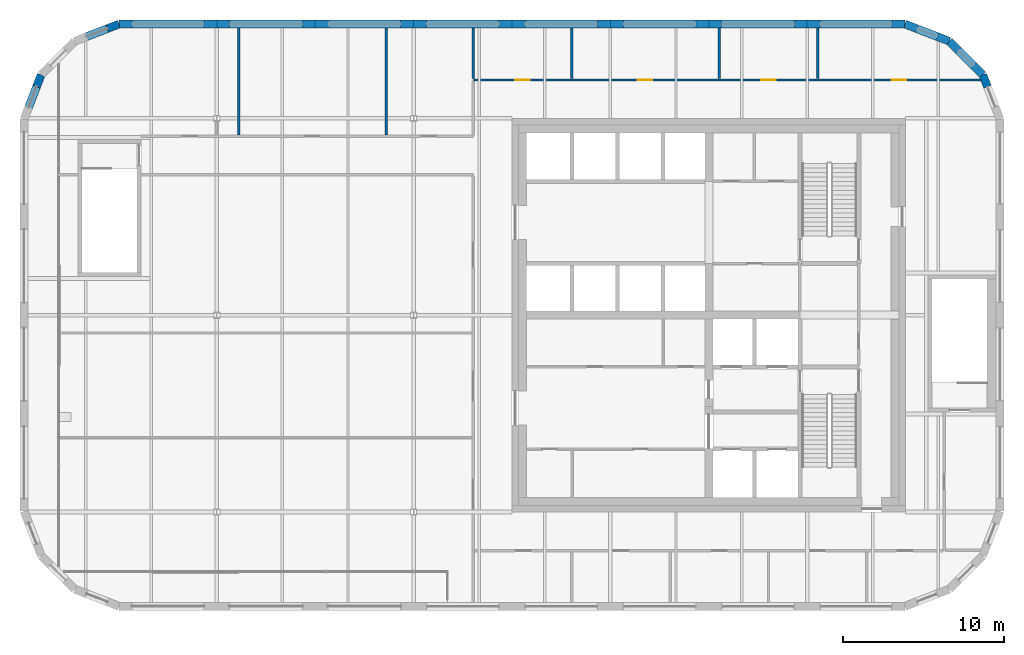
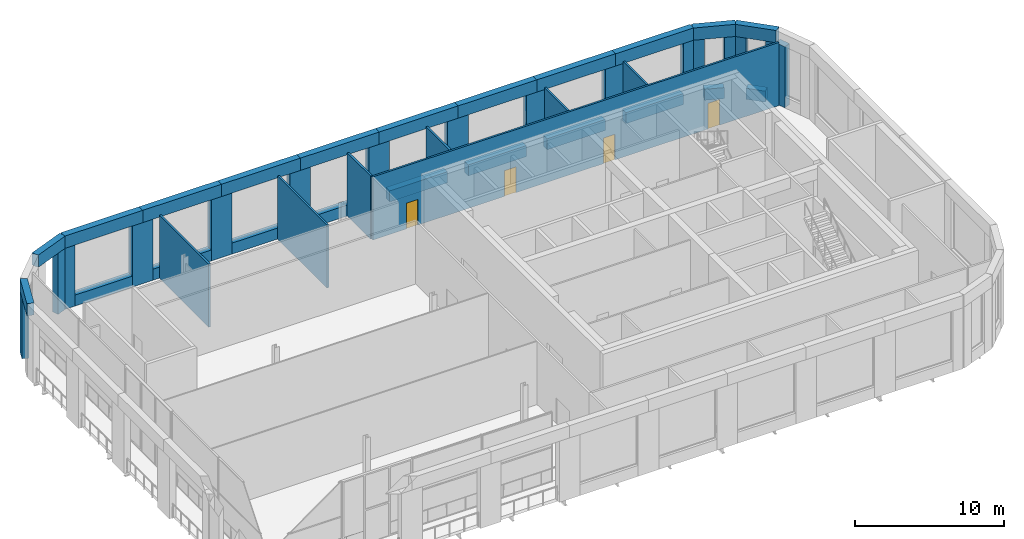
# One storey, part 16 of 19: 45 walls, 4 doors, 4 openings.
"""IFC4 building model written with IfcOpenShell, lengths in metres."""

from ifc_helpers import new_model, si_unit, direction, frame, frame_2d, origin, place, context, subcontext, project, spatial, polyline, rectangle, outline, extrude, faceted_brep, source, transform, mapped, material, layer, layer_set, type_object, element, fill, save


model = new_model("IFC4")

# Units and contexts
model_context = context("Model", 3, precision=1e-05, world=origin(), true_north=direction((0.0, 1.0)))
body_context = subcontext(model_context, "Body", "Model", "MODEL_VIEW")
ifc_project = project(units=[si_unit("LENGTHUNIT", "METRE"), si_unit("AREAUNIT", "SQUARE_METRE"), si_unit("VOLUMEUNIT", "CUBIC_METRE"), si_unit("PLANEANGLEUNIT", "RADIAN"), si_unit("MASSUNIT", "GRAM", prefix="KILO")], contexts=[model_context])

# Site, building, storey
site_placement = place(None, origin())
site = spatial("IfcSite", under=ifc_project, at=site_placement, CompositionType="ELEMENT")
building_placement = place(site_placement, origin())
building = spatial("IfcBuilding", under=site, at=building_placement, Name="Tessera Gate Towers", CompositionType="ELEMENT")
storey_placement = place(building_placement, frame((0.0, 0.0, 259.699951171875)))
storey = spatial("IfcBuildingStorey", under=building, at=storey_placement, Name="L65", CompositionType="ELEMENT", Elevation=259.699951171875)

# Wall, openings, doors
ifc_material_1 = material(Name="Gypsum board on steel studs, mineral wool", Category="steel")
ifc_layer_1 = layer(ifc_material_1, 0.14990234375)
ifc_layer_set_1 = layer_set([ifc_layer_1], Name="CORRIDOR WALL 150")
wall_type_1 = type_object("IfcWallType", Name="CORRIDOR WALL 150", PredefinedType="PARTITIONING", material=ifc_layer_set_1)
wall_1_placement = place(storey_placement, frame((28.10009765625, 51.179931640625, 0.0), z_axis=(0.0, 0.0, 1.0), x_axis=(1.0, 0.0, 0.0)))
wall_1 = element("IfcWall", 1, at=wall_1_placement, inside=storey, type_object=wall_type_1, Name="T1-L65-PW-019", PredefinedType="PARTITIONING", context=body_context, shape_type="SweptSolid", body=[
    extrude(rectangle(XDim=31.438232421875, YDim=0.14990234375, at=frame_2d((15.71923828125, 0.0))), origin(), (0.0, 0.0, 1.0), 5.1669921875),
])
shared_shape_1 = source(origin(), body_context, "Body", "SweptSolid", [
    extrude(rectangle(XDim=0.89990234375, YDim=2.10009765625, at=frame_2d((0.449951171875, 1.050048828125))), frame((0.0, 0.0849609375, 0.0), z_axis=(0.0, -1.0, 0.0), x_axis=(1.0, 0.0, 0.0)), (0.0, 0.0, 1.0), 0.169921875),
])
opening_1_placement = place(wall_1_placement, frame((17.85107421875, 0.0, 0.0)))
opening_1 = element("IfcOpeningElement", 2, at=opening_1_placement, cuts=wall_1, Name="Opening D890FD60-A34-06", PredefinedType="OPENING", context=body_context, shape_type="MappedRepresentation", body=[
    mapped(shared_shape_1, transform((0.0, 0.0, 0.0), scale=1.0)),
])
opening_2_placement = place(wall_1_placement, frame((2.60009765625, 0.0, 0.0)))
opening_2 = element("IfcOpeningElement", 3, at=opening_2_placement, cuts=wall_1, Name="Opening D890FD60-A34-07", PredefinedType="OPENING", context=body_context, shape_type="MappedRepresentation", body=[
    mapped(shared_shape_1, transform((0.0, 0.0, 0.0), scale=1.0)),
])
opening_3_placement = place(wall_1_placement, frame((10.199951171875, 0.0, 0.0)))
opening_3 = element("IfcOpeningElement", 4, at=opening_3_placement, cuts=wall_1, Name="Opening D890FD60-A34-12", PredefinedType="OPENING", context=body_context, shape_type="MappedRepresentation", body=[
    mapped(shared_shape_1, transform((0.0, 0.0, 0.0), scale=1.0)),
])
opening_4_placement = place(wall_1_placement, frame((25.949951171875, 0.0, 0.0)))
opening_4 = element("IfcOpeningElement", 5, at=opening_4_placement, cuts=wall_1, Name="Opening D890FD60-A34-13", PredefinedType="OPENING", context=body_context, shape_type="MappedRepresentation", body=[
    mapped(shared_shape_1, transform((0.0, 0.0, 0.0), scale=1.0)),
])
ifc_material_2 = material(Name="Timber door leaf in steel frame", Category="steel")
door_type = type_object("IfcDoorType", Name="CORRIDOR DOOR 900 FD60", OperationType="NOTDEFINED", PredefinedType="DOOR", material=ifc_material_2)
shared_shape_2 = source(origin(), body_context, "Body", "SweptSolid", [
    extrude(rectangle(XDim=0.89990234375, YDim=2.10009765625, at=frame_2d((0.449951171875, 1.050048828125))), frame((0.0, 0.02490234375, 0.0), z_axis=(0.0, -1.0, 0.0), x_axis=(1.0, 0.0, 0.0)), (0.0, 0.0, 1.0), 0.050048828125),
])
door_1_placement = place(opening_1_placement, origin())
door_1 = element("IfcDoor", 6, at=door_1_placement, inside=storey, type_object=door_type, Name="T1-L65-PD-006", OperationType="SINGLE_SWING_LEFT", OverallHeight=2.10009765625, OverallWidth=0.89990234375, PredefinedType="DOOR", context=body_context, shape_type="MappedRepresentation", body=[
    mapped(shared_shape_2, transform((0.0, 0.0, 0.0), scale=1.0)),
])
fill(opening_1, door_1)
door_2_placement = place(opening_2_placement, origin())
door_2 = element("IfcDoor", 7, at=door_2_placement, inside=storey, type_object=door_type, Name="T1-L65-PD-007", OperationType="SINGLE_SWING_LEFT", OverallHeight=2.10009765625, OverallWidth=0.89990234375, PredefinedType="DOOR", context=body_context, shape_type="MappedRepresentation", body=[
    mapped(shared_shape_2, transform((0.0, 0.0, 0.0), scale=1.0)),
])
fill(opening_2, door_2)
door_3_placement = place(opening_3_placement, origin())
door_3 = element("IfcDoor", 8, at=door_3_placement, inside=storey, type_object=door_type, Name="T1-L65-PD-014", OperationType="SINGLE_SWING_LEFT", OverallHeight=2.10009765625, OverallWidth=0.89990234375, PredefinedType="DOOR", context=body_context, shape_type="MappedRepresentation", body=[
    mapped(shared_shape_2, transform((0.0, 0.0, 0.0), scale=1.0)),
])
fill(opening_3, door_3)
door_4_placement = place(opening_4_placement, origin())
door_4 = element("IfcDoor", 9, at=door_4_placement, inside=storey, type_object=door_type, Name="T1-L65-PD-016", OperationType="SINGLE_SWING_LEFT", OverallHeight=2.10009765625, OverallWidth=0.89990234375, PredefinedType="DOOR", context=body_context, shape_type="MappedRepresentation", body=[
    mapped(shared_shape_2, transform((0.0, 0.0, 0.0), scale=1.0)),
])
fill(opening_4, door_4)

# Walls
ifc_material_3 = material(Name="Gypsum board on steel studs, mineral wool", Category="steel")
ifc_layer_2 = layer(ifc_material_3, 0.14990234375)
ifc_layer_set_2 = layer_set([ifc_layer_2], Name="TENANCY WALL 150")
wall_type_2 = type_object("IfcWallType", Name="TENANCY WALL 150", PredefinedType="PARTITIONING", material=ifc_layer_set_2)
for number, where, z_axis, x_axis, name in (
    (10, (13.550048828125, 47.77587890625, 0.0), (0.0, 0.0, 1.0), (0.0, 1.0, 0.0), "T1-L65-PW-015"),
    (11, (22.699951171875, 47.77587890625, 0.0), (0.0, 0.0, 1.0), (0.0, 1.0, 0.0), "T1-L65-PW-016"),
):
    element("IfcWall", number, at=place(storey_placement, frame(where, z_axis=z_axis, x_axis=x_axis)), inside=storey, type_object=wall_type_2, Name=name, PredefinedType="PARTITIONING", context=body_context, shape_type="SweptSolid", body=[
        extrude(rectangle(XDim=6.6240234375, YDim=0.14990234375, at=frame_2d((3.31201171875, 0.0))), origin(), (0.0, 0.0, 1.0), 5.1669921875),
    ])
for number, where, z_axis, x_axis, name in (
    (12, (28.10009765625, 51.27587890625, 0.0), (0.0, 0.0, 1.0), (0.0, 1.0, 0.0), "T1-L65-PW-020"),
    (13, (34.199951171875, 51.27587890625, 0.0), (0.0, 0.0, 1.0), (0.0, 1.0, 0.0), "T1-L65-PW-021"),
    (14, (43.35009765625, 51.27587890625, 0.0), (0.0, 0.0, 1.0), (0.0, 1.0, 0.0), "T1-L65-PW-022"),
    (15, (49.449951171875, 51.27587890625, 0.0), (0.0, 0.0, 1.0), (0.0, 1.0, 0.0), "T1-L65-PW-023"),
):
    element("IfcWall", number, at=place(storey_placement, frame(where, z_axis=z_axis, x_axis=x_axis)), inside=storey, type_object=wall_type_2, Name=name, PredefinedType="PARTITIONING", context=body_context, shape_type="SweptSolid", body=[
        extrude(rectangle(XDim=3.1240234375, YDim=0.14990234375, at=frame_2d((1.56201171875, 0.0))), origin(), (0.0, 0.0, 1.0), 5.1669921875),
    ])
ifc_material_4 = material(Name="Precast concrete C60/75 white", Category="concrete")
ifc_layer_3 = layer(ifc_material_4, 0.5)
ifc_layer_set_3 = layer_set([ifc_layer_3], Name="RB1 ring band panel")
wall_type_3 = type_object("IfcWallType", Name="RB1 ring band panel", PredefinedType="SOLIDWALL", material=ifc_layer_set_3)
shared_shape_3 = source(origin(), body_context, "Body", "SweptSolid", [
    extrude(outline(polyline([(0.0, 0.0), (4.453369140625, 0.0), (4.453369140625, 0.900146484375), (0.0, 0.900146484375), (0.0, 0.0)])), frame((0.0, 0.25, 0.0), z_axis=(0.0, -1.0, 0.0), x_axis=(1.0, 0.0, 0.0)), (0.0, 0.0, 1.0), 0.5),
])
for number, where, z_axis, x_axis, name in (
    (16, (54.053466796875, 54.64990234375, 0.0), (0.0, 0.0, 1.0), (-1.0, 0.0, 0.0), "Ring band panel T1 RB1-0479"),
    (17, (11.39990234375, 54.64990234375, 0.0), (0.0, 0.0, 1.0), (-1.0, 0.0, 0.0), "Ring band panel T1 RB1-0493"),
):
    element("IfcWall", number, at=place(storey_placement, frame(where, z_axis=z_axis, x_axis=x_axis)), inside=storey, type_object=wall_type_3, Name=name, PredefinedType="SOLIDWALL", context=body_context, shape_type="MappedRepresentation", body=[
        mapped(shared_shape_3, transform((0.0, 0.0, 0.0), scale=1.0)),
    ])
shared_shape_4 = source(origin(), body_context, "Body", "SweptSolid", [
    extrude(outline(polyline([(0.0, 0.0), (4.5, 0.0), (4.5, 0.900146484375), (0.0, 0.900146484375), (0.0, 0.0)])), frame((0.0, 0.25, 0.0), z_axis=(0.0, -1.0, 0.0), x_axis=(1.0, 0.0, 0.0)), (0.0, 0.0, 1.0), 0.5),
])
for number, where, z_axis, x_axis, name in (
    (18, (48.0, 54.64990234375, 0.0), (0.0, 0.0, 1.0), (-1.0, 0.0, 0.0), "Ring band panel T1 RB1-0481"),
    (19, (41.89990234375, 54.64990234375, 0.0), (0.0, 0.0, 1.0), (-1.0, 0.0, 0.0), "Ring band panel T1 RB1-0483"),
    (20, (35.800048828125, 54.64990234375, 0.0), (0.0, 0.0, 1.0), (-1.0, 0.0, 0.0), "Ring band panel T1 RB1-0485"),
    (21, (29.699951171875, 54.64990234375, 0.0), (0.0, 0.0, 1.0), (-1.0, 0.0, 0.0), "Ring band panel T1 RB1-0487"),
    (22, (23.60009765625, 54.64990234375, 0.0), (0.0, 0.0, 1.0), (-1.0, 0.0, 0.0), "Ring band panel T1 RB1-0489"),
    (23, (17.5, 54.64990234375, 0.0), (0.0, 0.0, 1.0), (-1.0, 0.0, 0.0), "Ring band panel T1 RB1-0491"),
):
    element("IfcWall", number, at=place(storey_placement, frame(where, z_axis=z_axis, x_axis=x_axis)), inside=storey, type_object=wall_type_3, Name=name, PredefinedType="SOLIDWALL", context=body_context, shape_type="MappedRepresentation", body=[
        mapped(shared_shape_4, transform((0.0, 0.0, 0.0), scale=1.0)),
    ])
shared_shape_5 = source(origin(), body_context, "Body", "SweptSolid", [
    extrude(outline(polyline([(0.0, 0.0), (1.3505859375, 0.0), (1.3505859375, 0.900146484375), (0.0, 0.900146484375), (0.0, 0.0)])), frame((0.0, 0.25, 0.0), z_axis=(0.0, -1.0, 0.0), x_axis=(1.0, 0.0, 0.0)), (0.0, 0.0, 1.0), 0.5),
])
wall_2_placement = place(storey_placement, frame((56.85986328125, 53.8759765625, 0.0), z_axis=(0.0, 0.0, 1.0), x_axis=(-0.932981713512, 0.359923772835, 0.0)))
element("IfcWall", 24, at=wall_2_placement, inside=storey, type_object=wall_type_3, Name="Ring band panel T1 RB1-0468", PredefinedType="SOLIDWALL", context=body_context, shape_type="MappedRepresentation", body=[
    mapped(shared_shape_5, transform((0.0, 0.0, 0.0), scale=1.0)),
])
shared_shape_6 = source(origin(), body_context, "Body", "SweptSolid", [
    extrude(outline(polyline([(0.0, 0.0), (1.34423828125, 0.0), (1.34423828125, 0.900146484375), (0.0, 0.900146484375), (0.0, 0.0)])), frame((0.0, 0.25, 0.0), z_axis=(0.0, -1.0, 0.0), x_axis=(1.0, 0.0, 0.0)), (0.0, 0.0, 1.0), 0.5),
])
wall_3_placement = place(storey_placement, frame((59.122314453125, 52.072021484375, 0.0), z_axis=(0.0, 0.0, 1.0), x_axis=(-0.707106781187, 0.707106781187, 0.0)))
element("IfcWall", 25, at=wall_3_placement, inside=storey, type_object=wall_type_3, Name="Ring band panel T1 RB1-0464", PredefinedType="SOLIDWALL", context=body_context, shape_type="MappedRepresentation", body=[
    mapped(shared_shape_6, transform((0.0, 0.0, 0.0), scale=1.0)),
])
shared_shape_7 = source(origin(), body_context, "Body", "Brep", [
    faceted_brep([(0.0, -0.25, 0.0), (0.800048828125, -0.25, 0.0), (0.800048828125, -0.25, 5.0), (0.0, -0.25, 5.0), (0.046630859375, 0.25, 5.0), (0.800048828125, 0.25, 5.0), (0.800048828125, 0.25, 0.0), (0.046630859375, 0.25, 0.0), (0.0, 0.0, 0.0), (0.0, 0.0, 5.0)], [[[0, 1, 2, 3]], [[4, 5, 6, 7]], [[7, 6, 1, 0, 8]], [[5, 4, 9, 3, 2]], [[8, 0, 3, 9]], [[7, 8, 9, 4]], [[1, 6, 5, 2]]]),
])
wall_4_placement = place(storey_placement, frame((54.853515625, 54.64990234375, 0.0), z_axis=(0.0, 0.0, 1.0), x_axis=(-1.0, 0.0, 0.0)))
element("IfcWall", 26, at=wall_4_placement, inside=storey, type_object=wall_type_3, Name="Ring band panel T1 RB1-0470", PredefinedType="SOLIDWALL", context=body_context, shape_type="MappedRepresentation", body=[
    mapped(shared_shape_7, transform((0.0, 0.0, 0.0), scale=1.0)),
])
shared_shape_8 = source(origin(), body_context, "Body", "SweptSolid", [
    extrude(outline(polyline([(0.0, 0.0), (1.60009765625, 0.0), (1.60009765625, 5.0), (0.0, 5.0), (0.0, 0.0)])), frame((0.0, 0.25, 0.0), z_axis=(0.0, -1.0, 0.0), x_axis=(1.0, 0.0, 0.0)), (0.0, 0.0, 1.0), 0.5),
])
for number, where, z_axis, x_axis, name in (
    (27, (49.60009765625, 54.64990234375, 0.0), (0.0, 0.0, 1.0), (-1.0, 0.0, 0.0), "Ring band panel T1 RB1-0471"),
    (28, (43.5, 54.64990234375, 0.0), (0.0, 0.0, 1.0), (-1.0, 0.0, 0.0), "Ring band panel T1 RB1-0472"),
    (29, (31.300048828125, 54.64990234375, 0.0), (0.0, 0.0, 1.0), (-1.0, 0.0, 0.0), "Ring band panel T1 RB1-0474"),
    (30, (19.10009765625, 54.64990234375, 0.0), (0.0, 0.0, 1.0), (-1.0, 0.0, 0.0), "Ring band panel T1 RB1-0476"),
    (31, (13.0, 54.64990234375, 0.0), (0.0, 0.0, 1.0), (-1.0, 0.0, 0.0), "Ring band panel T1 RB1-0477"),
):
    element("IfcWall", number, at=place(storey_placement, frame(where, z_axis=z_axis, x_axis=x_axis)), inside=storey, type_object=wall_type_3, Name=name, PredefinedType="SOLIDWALL", context=body_context, shape_type="MappedRepresentation", body=[
        mapped(shared_shape_8, transform((0.0, 0.0, 0.0), scale=1.0)),
    ])
shared_shape_9 = source(origin(), body_context, "Body", "Brep", [
    faceted_brep([(0.0, -0.25, 0.0), (1.599853515625, -0.25, 0.0), (1.599853515625, -0.25, 5.0), (0.0, -0.25, 5.0), (0.0, 0.25, 5.0), (1.599853515625, 0.25, 5.0), (1.599853515625, 0.25, 0.0), (0.0, 0.25, 0.0)], [[[0, 1, 2, 3]], [[4, 5, 6, 7]], [[7, 6, 1, 0]], [[5, 4, 3, 2]], [[4, 7, 0, 3]], [[1, 6, 5, 2]]]),
])
for number, where, z_axis, x_axis, name in (
    (32, (37.39990234375, 54.64990234375, 0.0), (0.0, 0.0, 1.0), (-1.0, 0.0, 0.0), "Ring band panel T1 RB1-0473"),
    (33, (25.199951171875, 54.64990234375, 0.0), (0.0, 0.0, 1.0), (-1.0, 0.0, 0.0), "Ring band panel T1 RB1-0475"),
):
    element("IfcWall", number, at=place(storey_placement, frame(where, z_axis=z_axis, x_axis=x_axis)), inside=storey, type_object=wall_type_3, Name=name, PredefinedType="SOLIDWALL", context=body_context, shape_type="MappedRepresentation", body=[
        mapped(shared_shape_9, transform((0.0, 0.0, 0.0), scale=1.0)),
    ])
shared_shape_10 = source(origin(), body_context, "Body", "Brep", [
    faceted_brep([(0.0, -0.25, 0.0), (0.800048828125, -0.25, 0.0), (0.800048828125, -0.25, 5.0), (0.0, -0.25, 5.0), (0.0, 0.25, 5.0), (0.75341796875, 0.25, 5.0), (0.75341796875, 0.25, 0.0), (0.0, 0.25, 0.0), (0.800048828125, -0.000244140625, 0.0), (0.800048828125, -0.000244140625, 5.0)], [[[0, 1, 2, 3]], [[4, 5, 6, 7]], [[7, 6, 8, 1, 0]], [[9, 2, 1, 8]], [[5, 4, 3, 2, 9]], [[4, 7, 0, 3]], [[8, 6, 5, 9]]]),
])
wall_5_placement = place(storey_placement, frame((6.946533203125, 54.64990234375, 0.0), z_axis=(0.0, 0.0, 1.0), x_axis=(-1.0, 0.0, 0.0)))
element("IfcWall", 34, at=wall_5_placement, inside=storey, type_object=wall_type_3, Name="Ring band panel T1 RB1-0478", PredefinedType="SOLIDWALL", context=body_context, shape_type="MappedRepresentation", body=[
    mapped(shared_shape_10, transform((0.0, 0.0, 0.0), scale=1.0)),
])
shared_shape_11 = source(origin(), body_context, "Body", "Brep", [
    faceted_brep([(0.0, -0.25, 0.0), (6.053466796875, -0.25, 0.0), (6.053466796875, -0.25, 1.0), (0.0, -0.25, 1.0), (0.046630859375, 0.25, 1.0), (6.053466796875, 0.25, 1.0), (6.053466796875, 0.25, 0.0), (0.046630859375, 0.25, 0.0), (0.0, 0.0, 0.0), (0.0, 0.0, 1.0)], [[[0, 1, 2, 3]], [[4, 5, 6, 7]], [[7, 6, 1, 0, 8]], [[5, 4, 9, 3, 2]], [[8, 0, 3, 9]], [[7, 8, 9, 4]], [[1, 6, 5, 2]]]),
])
wall_6_placement = place(storey_placement, frame((54.853515625, 54.64990234375, 5.0), z_axis=(0.0, 0.0, 1.0), x_axis=(-1.0, 0.0, 0.0)))
element("IfcWall", 35, at=wall_6_placement, inside=storey, type_object=wall_type_3, Name="Ring band panel T1 RB1-0480", PredefinedType="SOLIDWALL", context=body_context, shape_type="MappedRepresentation", body=[
    mapped(shared_shape_11, transform((0.0, 0.0, 0.0), scale=1.0)),
])
shared_shape_12 = source(origin(), body_context, "Body", "SweptSolid", [
    extrude(outline(polyline([(0.0, 0.0), (6.10009765625, 0.0), (6.10009765625, 1.0), (0.0, 1.0), (0.0, 0.0)])), frame((0.0, 0.25, 0.0), z_axis=(0.0, -1.0, 0.0), x_axis=(1.0, 0.0, 0.0)), (0.0, 0.0, 1.0), 0.5),
])
for number, where, z_axis, x_axis, name in (
    (36, (48.800048828125, 54.64990234375, 5.0), (0.0, 0.0, 1.0), (-1.0, 0.0, 0.0), "Ring band panel T1 RB1-0482"),
    (37, (36.60009765625, 54.64990234375, 5.0), (0.0, 0.0, 1.0), (-1.0, 0.0, 0.0), "Ring band panel T1 RB1-0486"),
    (38, (30.5, 54.64990234375, 5.0), (0.0, 0.0, 1.0), (-1.0, 0.0, 0.0), "Ring band panel T1 RB1-0488"),
    (39, (18.300048828125, 54.64990234375, 5.0), (0.0, 0.0, 1.0), (-1.0, 0.0, 0.0), "Ring band panel T1 RB1-0492"),
):
    element("IfcWall", number, at=place(storey_placement, frame(where, z_axis=z_axis, x_axis=x_axis)), inside=storey, type_object=wall_type_3, Name=name, PredefinedType="SOLIDWALL", context=body_context, shape_type="MappedRepresentation", body=[
        mapped(shared_shape_12, transform((0.0, 0.0, 0.0), scale=1.0)),
    ])
shared_shape_13 = source(origin(), body_context, "Body", "Brep", [
    faceted_brep([(0.0, -0.25, 0.0), (6.099853515625, -0.25, 0.0), (6.099853515625, -0.25, 1.0), (0.0, -0.25, 1.0), (0.0, 0.25, 1.0), (6.099853515625, 0.25, 1.0), (6.099853515625, 0.25, 0.0), (0.0, 0.25, 0.0)], [[[0, 1, 2, 3]], [[4, 5, 6, 7]], [[7, 6, 1, 0]], [[5, 4, 3, 2]], [[4, 7, 0, 3]], [[1, 6, 5, 2]]]),
])
for number, where, z_axis, x_axis, name in (
    (40, (42.699951171875, 54.64990234375, 5.0), (0.0, 0.0, 1.0), (-1.0, 0.0, 0.0), "Ring band panel T1 RB1-0484"),
    (41, (24.39990234375, 54.64990234375, 5.0), (0.0, 0.0, 1.0), (-1.0, 0.0, 0.0), "Ring band panel T1 RB1-0490"),
):
    element("IfcWall", number, at=place(storey_placement, frame(where, z_axis=z_axis, x_axis=x_axis)), inside=storey, type_object=wall_type_3, Name=name, PredefinedType="SOLIDWALL", context=body_context, shape_type="MappedRepresentation", body=[
        mapped(shared_shape_13, transform((0.0, 0.0, 0.0), scale=1.0)),
    ])
shared_shape_14 = source(origin(), body_context, "Body", "Brep", [
    faceted_brep([(0.0, -0.25, 0.0), (6.053466796875, -0.25, 0.0), (6.053466796875, -0.25, 1.0), (0.0, -0.25, 1.0), (0.0, 0.25, 1.0), (6.0068359375, 0.25, 1.0), (6.0068359375, 0.25, 0.0), (0.0, 0.25, 0.0), (6.053466796875, 0.0, 0.0), (6.053466796875, 0.0, 1.0)], [[[0, 1, 2, 3]], [[4, 5, 6, 7]], [[7, 6, 8, 1, 0]], [[9, 2, 1, 8]], [[5, 4, 3, 2, 9]], [[4, 7, 0, 3]], [[8, 6, 5, 9]]]),
])
wall_7_placement = place(storey_placement, frame((12.199951171875, 54.64990234375, 5.0), z_axis=(0.0, 0.0, 1.0), x_axis=(-1.0, 0.0, 0.0)))
element("IfcWall", 42, at=wall_7_placement, inside=storey, type_object=wall_type_3, Name="Ring band panel T1 RB1-0494", PredefinedType="SOLIDWALL", context=body_context, shape_type="MappedRepresentation", body=[
    mapped(shared_shape_14, transform((0.0, 0.0, 0.0), scale=1.0)),
])
shared_shape_15 = source(origin(), body_context, "Body", "Brep", [
    faceted_brep([(0.0, -0.25, 0.0), (0.800048828125, -0.25, 0.0), (0.800048828125, -0.25, 5.0), (0.0, -0.25, 5.0), (0.046630859375, 0.25, 5.0), (0.800048828125, 0.25, 5.0), (0.800048828125, 0.25, 0.0), (0.046630859375, 0.25, 0.0), (0.0, 0.0, 0.0), (0.0, 0.0, 5.0)], [[[0, 1, 2, 3]], [[4, 5, 6, 7]], [[7, 6, 1, 0, 8]], [[5, 4, 9, 3, 2]], [[8, 0, 3, 9]], [[7, 8, 9, 4]], [[1, 6, 5, 2]]]),
])
wall_8_placement = place(storey_placement, frame((6.146484375, 54.64990234375, 0.0), z_axis=(0.0, 0.0, 1.0), x_axis=(-0.93301483327, -0.3598379092, 0.0)))
element("IfcWall", 43, at=wall_8_placement, inside=storey, type_object=wall_type_3, Name="Ring band panel T1 RB1-0495", PredefinedType="SOLIDWALL", context=body_context, shape_type="MappedRepresentation", body=[
    mapped(shared_shape_15, transform((0.0, 0.0, 0.0), scale=1.0)),
])
shared_shape_16 = source(origin(), body_context, "Body", "Brep", [
    faceted_brep([(0.0, -0.25, 0.0), (2.950439453125, -0.25, 0.0), (2.950439453125, -0.25, 1.0), (0.0, -0.25, 1.0), (0.046630859375, 0.25, 1.0), (2.897705078125, 0.25, 1.0), (2.897705078125, 0.25, 0.0), (0.046630859375, 0.25, 0.0), (2.950439453125, 0.00048828125, 0.0), (0.0, 0.0, 0.0), (2.950439453125, 0.00048828125, 1.0), (0.0, 0.0, 1.0)], [[[0, 1, 2, 3]], [[4, 5, 6, 7]], [[7, 6, 8, 1, 0, 9]], [[10, 2, 1, 8]], [[5, 4, 11, 3, 2, 10]], [[9, 0, 3, 11]], [[7, 9, 11, 4]], [[8, 6, 5, 10]]]),
])
wall_9_placement = place(storey_placement, frame((6.146484375, 54.64990234375, 5.0), z_axis=(0.0, 0.0, 1.0), x_axis=(-0.932999673775, -0.359877213415, 0.0)))
element("IfcWall", 44, at=wall_9_placement, inside=storey, type_object=wall_type_3, Name="Ring band panel T1 RB1-0497", PredefinedType="SOLIDWALL", context=body_context, shape_type="MappedRepresentation", body=[
    mapped(shared_shape_16, transform((0.0, 0.0, 0.0), scale=1.0)),
])
shared_shape_17 = source(origin(), body_context, "Body", "Brep", [
    faceted_brep([(0.0, -0.25, 0.0), (0.800048828125, -0.25, 0.0), (0.800048828125, -0.25, 5.0), (0.0, -0.25, 5.0), (0.052978515625, 0.25, 5.0), (0.800048828125, 0.25, 5.0), (0.800048828125, 0.25, 0.0), (0.052978515625, 0.25, 0.0), (0.0, 0.0, 0.0), (0.0, 0.0, 5.0)], [[[0, 1, 2, 3]], [[4, 5, 6, 7]], [[7, 6, 1, 0, 8]], [[5, 4, 9, 3, 2]], [[8, 0, 3, 9]], [[7, 8, 9, 4]], [[1, 6, 5, 2]]]),
])
wall_10_placement = place(storey_placement, frame((59.68798828125, 51.50634765625, 0.0), z_axis=(0.0, 0.0, 1.0), x_axis=(-0.707106781187, 0.707106781187, 0.0)))
element("IfcWall", 45, at=wall_10_placement, inside=storey, type_object=wall_type_3, Name="Ring band panel T1 RB1-0462", PredefinedType="SOLIDWALL", context=body_context, shape_type="MappedRepresentation", body=[
    mapped(shared_shape_17, transform((0.0, 0.0, 0.0), scale=1.0)),
])
shared_shape_18 = source(origin(), body_context, "Body", "Brep", [
    faceted_brep([(0.0, -0.25, 0.0), (0.800048828125, -0.25, 0.0), (0.800048828125, -0.25, 5.0), (0.0, -0.25, 5.0), (0.0, 0.25, 5.0), (0.7470703125, 0.25, 5.0), (0.7470703125, 0.25, 0.0), (0.0, 0.25, 0.0), (0.800048828125, -0.000244140625, 0.0), (0.800048828125, -0.000244140625, 5.0)], [[[0, 1, 2, 3]], [[4, 5, 6, 7]], [[7, 6, 8, 1, 0]], [[9, 2, 1, 8]], [[5, 4, 3, 2, 9]], [[4, 7, 0, 3]], [[8, 6, 5, 9]]]),
])
wall_11_placement = place(storey_placement, frame((59.97607421875, 50.759765625, 0.0), z_axis=(0.0, 0.0, 1.0), x_axis=(-0.360001058183, 0.932951894851, 0.0)))
element("IfcWall", 46, at=wall_11_placement, inside=storey, type_object=wall_type_3, Name="Ring band panel T1 RB1-0459", PredefinedType="SOLIDWALL", context=body_context, shape_type="MappedRepresentation", body=[
    mapped(shared_shape_18, transform((0.0, 0.0, 0.0), scale=1.0)),
])
shared_shape_19 = source(origin(), body_context, "Body", "Brep", [
    faceted_brep([(0.0, -0.25, 0.0), (2.944091796875, -0.25, 0.0), (2.944091796875, -0.25, 1.0), (0.0, -0.25, 1.0), (0.052978515625, 0.25, 1.0), (2.89111328125, 0.25, 1.0), (2.89111328125, 0.25, 0.0), (0.052978515625, 0.25, 0.0), (2.944091796875, 0.000244140625, 0.0), (0.0, 0.0, 0.0), (2.944091796875, 0.000244140625, 1.0), (0.0, 0.0, 1.0)], [[[0, 1, 2, 3]], [[4, 5, 6, 7]], [[7, 6, 8, 1, 0, 9]], [[10, 2, 1, 8]], [[5, 4, 11, 3, 2, 10]], [[9, 0, 3, 11]], [[7, 9, 11, 4]], [[8, 6, 5, 10]]]),
])
wall_12_placement = place(storey_placement, frame((59.68798828125, 51.50634765625, 5.0), z_axis=(0.0, 0.0, 1.0), x_axis=(-0.707106781187, 0.707106781187, 0.0)))
element("IfcWall", 47, at=wall_12_placement, inside=storey, type_object=wall_type_3, Name="Ring band panel T1 RB1-0465", PredefinedType="SOLIDWALL", context=body_context, shape_type="MappedRepresentation", body=[
    mapped(shared_shape_19, transform((0.0, 0.0, 0.0), scale=1.0)),
])
shared_shape_20 = source(origin(), body_context, "Body", "Brep", [
    faceted_brep([(0.0, -0.25, 0.0), (0.800048828125, -0.25, 0.0), (0.800048828125, -0.25, 5.0), (0.0, -0.25, 5.0), (0.0, 0.25, 5.0), (0.75341796875, 0.25, 5.0), (0.75341796875, 0.25, 0.0), (0.0, 0.25, 0.0), (0.800048828125, -0.000244140625, 0.0), (0.800048828125, -0.000244140625, 5.0)], [[[0, 1, 2, 3]], [[4, 5, 6, 7]], [[7, 6, 8, 1, 0]], [[9, 2, 1, 8]], [[5, 4, 3, 2, 9]], [[4, 7, 0, 3]], [[8, 6, 5, 9]]]),
])
wall_13_placement = place(storey_placement, frame((55.599853515625, 54.362060546875, 0.0), z_axis=(0.0, 0.0, 1.0), x_axis=(-0.93301483327, 0.3598379092, 0.0)))
element("IfcWall", 48, at=wall_13_placement, inside=storey, type_object=wall_type_3, Name="Ring band panel T1 RB1-0467", PredefinedType="SOLIDWALL", context=body_context, shape_type="MappedRepresentation", body=[
    mapped(shared_shape_20, transform((0.0, 0.0, 0.0), scale=1.0)),
])
shared_shape_21 = source(origin(), body_context, "Body", "Brep", [
    faceted_brep([(0.0, -0.25, 0.0), (2.950439453125, -0.25, 0.0), (2.950439453125, -0.25, 1.0), (0.0, -0.25, 1.0), (0.052978515625, 0.25, 1.0), (2.904052734375, 0.25, 1.0), (2.904052734375, 0.25, 0.0), (0.052978515625, 0.25, 0.0), (2.950439453125, 0.00048828125, 0.0), (0.0, 0.0, 0.0), (2.950439453125, 0.00048828125, 1.0), (0.0, 0.0, 1.0)], [[[0, 1, 2, 3]], [[4, 5, 6, 7]], [[7, 6, 8, 1, 0, 9]], [[10, 2, 1, 8]], [[5, 4, 11, 3, 2, 10]], [[9, 0, 3, 11]], [[7, 9, 11, 4]], [[8, 6, 5, 10]]]),
])
wall_14_placement = place(storey_placement, frame((57.606201171875, 53.588134765625, 5.0), z_axis=(0.0, 0.0, 1.0), x_axis=(-0.932999673775, 0.359877213415, 0.0)))
element("IfcWall", 49, at=wall_14_placement, inside=storey, type_object=wall_type_3, Name="Ring band panel T1 RB1-0469", PredefinedType="SOLIDWALL", context=body_context, shape_type="MappedRepresentation", body=[
    mapped(shared_shape_21, transform((0.0, 0.0, 0.0), scale=1.0)),
])
shared_shape_22 = source(origin(), body_context, "Body", "Brep", [
    faceted_brep([(0.0, -0.25, 0.0), (0.800048828125, -0.25, 0.0), (0.800048828125, -0.25, 5.0), (0.0, -0.25, 5.0), (0.0, 0.25, 5.0), (0.7470703125, 0.25, 5.0), (0.7470703125, 0.25, 0.0), (0.0, 0.25, 0.0), (0.800048828125, -0.000244140625, 0.0), (0.800048828125, -0.000244140625, 5.0)], [[[0, 1, 2, 3]], [[4, 5, 6, 7]], [[7, 6, 8, 1, 0]], [[9, 2, 1, 8]], [[5, 4, 3, 2, 9]], [[4, 7, 0, 3]], [[8, 6, 5, 9]]]),
])
wall_15_placement = place(storey_placement, frame((58.171875, 53.0224609375, 0.0), z_axis=(0.0, 0.0, 1.0), x_axis=(-0.707106781187, 0.707106781187, 0.0)))
element("IfcWall", 50, at=wall_15_placement, inside=storey, type_object=wall_type_3, Name="Ring band panel T1 RB1-0463", PredefinedType="SOLIDWALL", context=body_context, shape_type="MappedRepresentation", body=[
    mapped(shared_shape_22, transform((0.0, 0.0, 0.0), scale=1.0)),
])
shared_shape_23 = source(origin(), body_context, "Body", "Brep", [
    faceted_brep([(0.0, -0.25, 0.0), (0.800048828125, -0.25, 0.0), (0.800048828125, -0.25, 5.0), (0.0, -0.25, 5.0), (0.052978515625, 0.25, 5.0), (0.800048828125, 0.25, 5.0), (0.800048828125, 0.25, 0.0), (0.052978515625, 0.25, 0.0), (0.0, 0.0, 0.0), (0.0, 0.0, 5.0)], [[[0, 1, 2, 3]], [[4, 5, 6, 7]], [[7, 6, 1, 0, 8]], [[5, 4, 9, 3, 2]], [[8, 0, 3, 9]], [[7, 8, 9, 4]], [[1, 6, 5, 2]]]),
])
wall_16_placement = place(storey_placement, frame((57.606201171875, 53.588134765625, 0.0), z_axis=(0.0, 0.0, 1.0), x_axis=(-0.93301483327, 0.3598379092, 0.0)))
element("IfcWall", 51, at=wall_16_placement, inside=storey, type_object=wall_type_3, Name="Ring band panel T1 RB1-0466", PredefinedType="SOLIDWALL", context=body_context, shape_type="MappedRepresentation", body=[
    mapped(shared_shape_23, transform((0.0, 0.0, 0.0), scale=1.0)),
])
shared_shape_24 = source(origin(), body_context, "Body", "Brep", [
    faceted_brep([(0.0, -0.25, 0.0), (0.800048828125, -0.25, 0.0), (0.800048828125, -0.25, 5.0), (0.0, -0.25, 5.0), (0.052978515625, 0.25, 5.0), (0.800048828125, 0.25, 5.0), (0.800048828125, 0.25, 0.0), (0.052978515625, 0.25, 0.0), (0.0, 0.0, 0.0), (0.0, 0.0, 5.0)], [[[0, 1, 2, 3]], [[4, 5, 6, 7]], [[7, 6, 1, 0, 8]], [[5, 4, 9, 3, 2]], [[8, 0, 3, 9]], [[7, 8, 9, 4]], [[1, 6, 5, 2]]]),
])
wall_17_placement = place(storey_placement, frame((1.31201171875, 51.50634765625, 0.0), z_axis=(0.0, 0.0, 1.0), x_axis=(-0.360001058183, -0.932951894851, 0.0)))
element("IfcWall", 52, at=wall_17_placement, inside=storey, type_object=wall_type_3, Name="Ring band panel T1 RB1-0501", PredefinedType="SOLIDWALL", context=body_context, shape_type="MappedRepresentation", body=[
    mapped(shared_shape_24, transform((0.0, 0.0, 0.0), scale=1.0)),
])
shared_shape_25 = source(origin(), body_context, "Body", "Brep", [
    faceted_brep([(0.0, -0.25, 0.0), (2.950439453125, -0.25, 0.0), (2.950439453125, -0.25, 1.0), (0.0, -0.25, 1.0), (0.052978515625, 0.25, 1.0), (2.904052734375, 0.25, 1.0), (2.904052734375, 0.25, 0.0), (0.052978515625, 0.25, 0.0), (2.950439453125, 0.00048828125, 0.0), (0.0, 0.0, 0.0), (2.950439453125, 0.00048828125, 1.0), (0.0, 0.0, 1.0)], [[[0, 1, 2, 3]], [[4, 5, 6, 7]], [[7, 6, 8, 1, 0, 9]], [[10, 2, 1, 8]], [[5, 4, 11, 3, 2, 10]], [[9, 0, 3, 11]], [[7, 9, 11, 4]], [[8, 6, 5, 10]]]),
])
wall_18_placement = place(storey_placement, frame((1.31201171875, 51.50634765625, 5.0), z_axis=(0.0, 0.0, 1.0), x_axis=(-0.359921456299, -0.932982607178, 0.0)))
element("IfcWall", 53, at=wall_18_placement, inside=storey, type_object=wall_type_3, Name="Ring band panel T1 RB1-0503", PredefinedType="SOLIDWALL", context=body_context, shape_type="MappedRepresentation", body=[
    mapped(shared_shape_25, transform((0.0, 0.0, 0.0), scale=1.0)),
])

save(model, "model.ifc")
